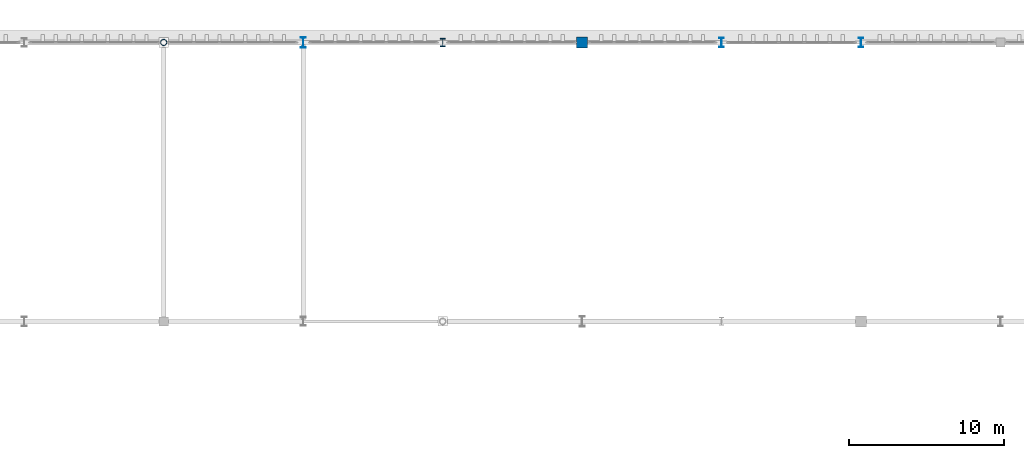
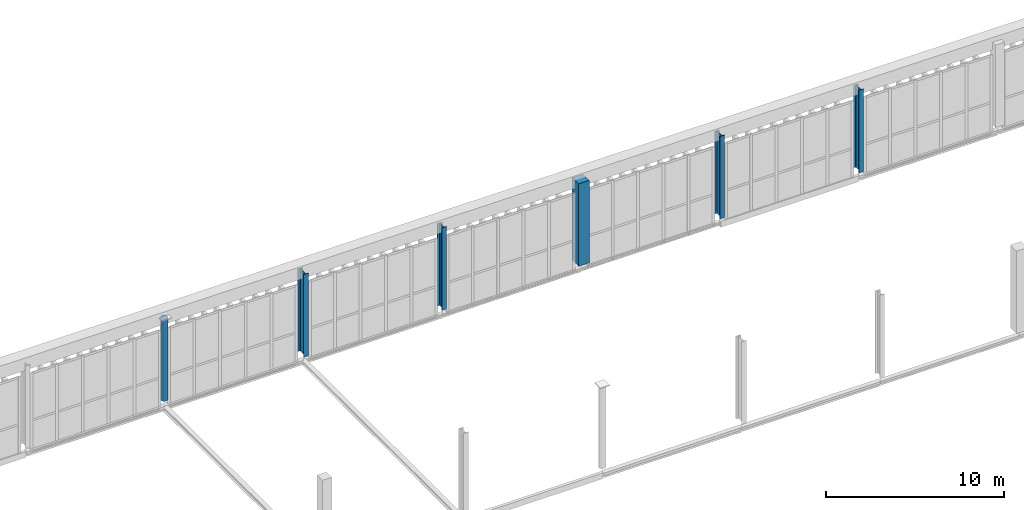
# One storey, part 23 of 237: 6 columns.
"""IFC4 building model written with IfcOpenShell, lengths in metres."""

from ifc_helpers import new_model, si_unit, direction, frame, origin, origin_2d, place, context, subcontext, project, spatial, rectangle, hollow_circle, i_section, extrude, material, material_profile, profile_set, type_object, element, save


model = new_model("IFC4")

# Units and contexts
model_context = context("Model", 3, precision=1e-05, world=origin(), true_north=direction((0.0, 1.0)))
body_context = subcontext(model_context, "Body", "Model", "MODEL_VIEW")
ifc_project = project(units=[si_unit("LENGTHUNIT", "METRE"), si_unit("AREAUNIT", "SQUARE_METRE"), si_unit("VOLUMEUNIT", "CUBIC_METRE"), si_unit("PLANEANGLEUNIT", "RADIAN"), si_unit("MASSUNIT", "GRAM", prefix="KILO")], contexts=[model_context])

# Site, building, storey
site_placement = place(None, origin())
site = spatial("IfcSite", under=ifc_project, at=site_placement, CompositionType="ELEMENT")
building_placement = place(site_placement, origin())
building = spatial("IfcBuilding", under=site, at=building_placement, Name="Barlavento Convention Centre", CompositionType="ELEMENT")
storey_placement = place(building_placement, frame((0.0, 0.0, 12.0)))
storey = spatial("IfcBuildingStorey", under=building, at=storey_placement, Name="L02", CompositionType="ELEMENT", Elevation=12.0)

# Columns
ifc_material_1 = material(Name="Steel S355", Category="steel")
ifc_material_profile_1 = material_profile(ifc_material_1, hollow_circle(Radius=0.203125, WallThickness=0.01611328125, at=origin_2d()), Name="CHS 406.4x16.0")
ifc_profile_set_1 = profile_set([ifc_material_profile_1], Name="Steel S355")
column_type_1 = type_object("IfcColumnType", Name="STR-COL-CHS406", PredefinedType="COLUMN", material=ifc_profile_set_1)
column_1_placement = place(storey_placement, frame((54.0, 135.0, 0.0), z_axis=(0.0, 0.0, 1.0), x_axis=(1.0, 0.0, 0.0)))
element("IfcColumn", 1, at=column_1_placement, inside=storey, type_object=column_type_1, Name="L02 column SC14", PredefinedType="COLUMN", context=body_context, shape_type="SweptSolid", body=[
    extrude(hollow_circle(Radius=0.203125, WallThickness=0.01611328125, at=origin_2d()), origin(), (0.0, 0.0, 1.0), 5.655029296875),
])
ifc_material_profile_2 = material_profile(ifc_material_1, i_section(OverallWidth=0.300048828125, OverallDepth=0.60009765625, WebThickness=0.015380859375, FlangeThickness=0.030029296875, FilletRadius=0.027099609375, at=origin_2d()), Name="HEB 600")
ifc_profile_set_2 = profile_set([ifc_material_profile_2], Name="Steel S355")
column_type_2 = type_object("IfcColumnType", Name="STR-COL-HEB600", PredefinedType="COLUMN", material=ifc_profile_set_2)
column_2_placement = place(storey_placement, frame((99.0, 135.0, 0.0), z_axis=(0.0, 0.0, 1.0), x_axis=(1.0, 0.0, 0.0)))
element("IfcColumn", 2, at=column_2_placement, inside=storey, type_object=column_type_2, Name="L02 column SC08", PredefinedType="COLUMN", context=body_context, shape_type="SweptSolid", body=[
    extrude(i_section(OverallWidth=0.300048828125, OverallDepth=0.60009765625, WebThickness=0.015380859375, FlangeThickness=0.030029296875, FilletRadius=0.027099609375, at=origin_2d()), origin(), (0.0, 0.0, 1.0), 5.655029296875),
])
ifc_material_profile_3 = material_profile(ifc_material_1, i_section(OverallWidth=0.305908203125, OverallDepth=0.52392578125, WebThickness=0.02099609375, FlangeThickness=0.0400390625, FilletRadius=0.027099609375, at=origin_2d()), Name="HEM 500")
ifc_profile_set_3 = profile_set([ifc_material_profile_3], Name="Steel S355")
column_type_3 = type_object("IfcColumnType", Name="STR-COL-HEM500", PredefinedType="COLUMN", material=ifc_profile_set_3)
column_3_placement = place(storey_placement, frame((72.0, 135.0, 0.0), z_axis=(0.0, 0.0, 1.0), x_axis=(1.0, 0.0, 0.0)))
element("IfcColumn", 3, at=column_3_placement, inside=storey, type_object=column_type_3, Name="L02 column SC07", PredefinedType="COLUMN", context=body_context, shape_type="SweptSolid", body=[
    extrude(i_section(OverallWidth=0.305908203125, OverallDepth=0.52392578125, WebThickness=0.02099609375, FlangeThickness=0.0400390625, FilletRadius=0.027099609375, at=origin_2d()), origin(), (0.0, 0.0, 1.0), 5.655029296875),
])
ifc_material_profile_4 = material_profile(ifc_material_1, i_section(OverallWidth=0.304931640625, OverallDepth=0.6201171875, WebThickness=0.02099609375, FlangeThickness=0.0400390625, FilletRadius=0.027099609375, at=origin_2d()), Name="HEM 600")
ifc_profile_set_4 = profile_set([ifc_material_profile_4], Name="Steel S355")
column_type_4 = type_object("IfcColumnType", Name="STR-COL-HEM600", PredefinedType="COLUMN", material=ifc_profile_set_4)
column_4_placement = place(storey_placement, frame((90.0, 135.0, 0.0), z_axis=(0.0, 0.0, 1.0), x_axis=(1.0, 0.0, 0.0)))
element("IfcColumn", 4, at=column_4_placement, inside=storey, type_object=column_type_4, Name="L02 column SC05", PredefinedType="COLUMN", context=body_context, shape_type="SweptSolid", body=[
    extrude(i_section(OverallWidth=0.304931640625, OverallDepth=0.6201171875, WebThickness=0.02099609375, FlangeThickness=0.0400390625, FilletRadius=0.027099609375, at=origin_2d()), origin(), (0.0, 0.0, 1.0), 5.655029296875),
])
ifc_material_2 = material(Name="Steel S460", Category="steel")
ifc_material_profile_5 = material_profile(ifc_material_2, i_section(OverallWidth=0.304931640625, OverallDepth=0.66796875, WebThickness=0.02099609375, FlangeThickness=0.0400390625, FilletRadius=0.027099609375, at=origin_2d()), Name="HEM 650")
ifc_profile_set_5 = profile_set([ifc_material_profile_5], Name="Steel S460")
column_type_5 = type_object("IfcColumnType", Name="STR-COL-HEM650", PredefinedType="COLUMN", material=ifc_profile_set_5)
column_5_placement = place(storey_placement, frame((63.0, 135.0, 0.0), z_axis=(0.0, 0.0, 1.0), x_axis=(1.0, 0.0, 0.0)))
element("IfcColumn", 5, at=column_5_placement, inside=storey, type_object=column_type_5, Name="L02 column SC04", PredefinedType="COLUMN", context=body_context, shape_type="SweptSolid", body=[
    extrude(i_section(OverallWidth=0.304931640625, OverallDepth=0.66796875, WebThickness=0.02099609375, FlangeThickness=0.0400390625, FilletRadius=0.027099609375, at=origin_2d()), origin(), (0.0, 0.0, 1.0), 5.655029296875),
])
ifc_material_3 = material(Name="Concrete C40/50", Category="concrete")
ifc_material_profile_6 = material_profile(ifc_material_3, rectangle(XDim=0.699951171875, YDim=0.699951171875, at=origin_2d()), Name="RC 700x700")
ifc_profile_set_6 = profile_set([ifc_material_profile_6], Name="Concrete C40/50")
column_type_6 = type_object("IfcColumnType", Name="STR-COL-RC700", PredefinedType="COLUMN", material=ifc_profile_set_6)
column_6_placement = place(storey_placement, frame((81.0, 135.0, 0.0), z_axis=(0.0, 0.0, 1.0), x_axis=(1.0, 0.0, 0.0)))
element("IfcColumn", 6, at=column_6_placement, inside=storey, type_object=column_type_6, Name="L02 column CC06", PredefinedType="COLUMN", context=body_context, shape_type="SweptSolid", body=[
    extrude(rectangle(XDim=0.699951171875, YDim=0.699951171875, at=origin_2d()), origin(), (0.0, 0.0, 1.0), 5.655029296875),
])

save(model, "model.ifc")
